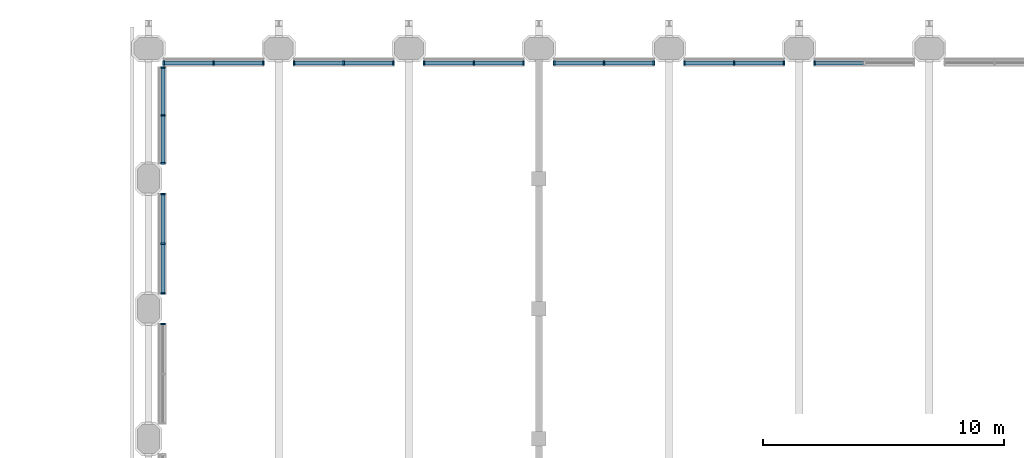
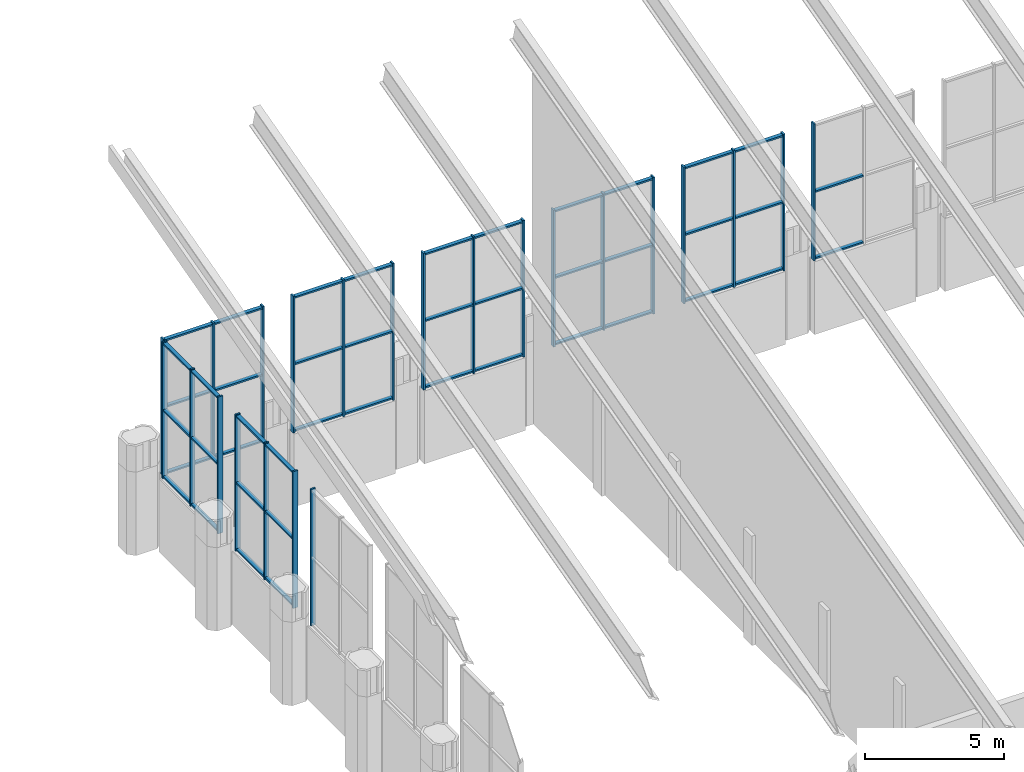
# One storey, part 21 of 42: 67 members, 9 elements without a shape of their own.
"""IFC4 building model written with IfcOpenShell, lengths in metres."""

from ifc_helpers import new_model, si_unit, direction, frame, origin, origin_2d, place, context, subcontext, project, spatial, rectangle, extrude, material, material_profile, profile_set, type_object, element, aggregate, save


model = new_model("IFC4")

# Units and contexts
model_context = context("Model", 3, precision=1e-05, world=origin(), true_north=direction((0.0, 1.0)))
body_context = subcontext(model_context, "Body", "Model", "MODEL_VIEW")
ifc_project = project(units=[si_unit("LENGTHUNIT", "METRE"), si_unit("AREAUNIT", "SQUARE_METRE"), si_unit("VOLUMEUNIT", "CUBIC_METRE"), si_unit("PLANEANGLEUNIT", "RADIAN"), si_unit("MASSUNIT", "GRAM", prefix="KILO")], contexts=[model_context])

# Site, building, storey
site_placement = place(None, origin())
site = spatial("IfcSite", under=ifc_project, at=site_placement, CompositionType="ELEMENT")
building_placement = place(site_placement, origin())
building = spatial("IfcBuilding", under=site, at=building_placement, Name="Tabaq Tower and Sports Hall", CompositionType="ELEMENT")
storey_placement = place(building_placement, frame((0.0, 0.0, 19.800048828125)))
storey = spatial("IfcBuildingStorey", under=building, at=storey_placement, Name="L03", CompositionType="ELEMENT", Elevation=19.800048828125)

# Curtain wall, members
ifc_material_1 = material(Name="Aluminium alloy 6063-T6 framed glazing", Category="aluminium")
curtain_wall_type = type_object("IfcCurtainWallType", Name="CW6 curtain wall", PredefinedType="USERDEFINED", material=ifc_material_1)
curtain_wall_1_placement = place(storey_placement, origin())
curtain_wall_1 = element("IfcCurtainWall", 1, at=curtain_wall_1_placement, inside=storey, type_object=curtain_wall_type, Name="L03 N hall glazing run", ObjectType="HALL FACADE WALL", PredefinedType="USERDEFINED")
ifc_material_2 = material(Name="Aluminium alloy 6063-T6", Category="aluminium")
ifc_material_profile_1 = material_profile(ifc_material_2, rectangle(XDim=0.199951171875, YDim=0.070068359375, at=origin_2d()), Name="MULLION 200x70")
ifc_profile_set_1 = profile_set([ifc_material_profile_1], Name="Aluminium alloy 6063-T6")
member_type_1 = type_object("IfcMemberType", Name="CW6 mullion 200x70", PredefinedType="MULLION", material=ifc_profile_set_1)
member_1_placement = place(storey_placement, frame((65.43505859375, 42.60009765625, 3.199951171875), z_axis=(0.0, 0.0, 1.0), x_axis=(0.0, 1.0, 0.0)))
member_1 = element("IfcMember", 2, at=member_1_placement, type_object=member_type_1, Name="CW6 mullion 1", PredefinedType="MULLION", context=body_context, shape_type="SweptSolid", body=[
    extrude(rectangle(XDim=0.199951171875, YDim=0.070068359375, at=origin_2d()), origin(), (0.0, 0.0, 1.0), 6.0),
])
member_2_placement = place(storey_placement, frame((67.5, 42.60009765625, 3.199951171875), z_axis=(0.0, 0.0, 1.0), x_axis=(0.0, 1.0, 0.0)))
member_2 = element("IfcMember", 3, at=member_2_placement, type_object=member_type_1, Name="CW6 mullion 2", PredefinedType="MULLION", context=body_context, shape_type="SweptSolid", body=[
    extrude(rectangle(XDim=0.199951171875, YDim=0.070068359375, at=origin_2d()), origin(), (0.0, 0.0, 1.0), 6.0),
])
member_3_placement = place(storey_placement, frame((69.56494140625, 42.60009765625, 3.199951171875), z_axis=(0.0, 0.0, 1.0), x_axis=(0.0, 1.0, 0.0)))
member_3 = element("IfcMember", 4, at=member_3_placement, type_object=member_type_1, Name="CW6 mullion 3", PredefinedType="MULLION", context=body_context, shape_type="SweptSolid", body=[
    extrude(rectangle(XDim=0.199951171875, YDim=0.070068359375, at=origin_2d()), origin(), (0.0, 0.0, 1.0), 6.0),
])

curtain_wall_2_placement = place(storey_placement, origin())
curtain_wall_2 = element("IfcCurtainWall", 5, at=curtain_wall_2_placement, inside=storey, type_object=curtain_wall_type, Name="L03 N hall glazing run", ObjectType="HALL FACADE WALL", PredefinedType="USERDEFINED")
member_4_placement = place(storey_placement, frame((70.8349609375, 42.60009765625, 3.199951171875), z_axis=(0.0, 0.0, 1.0), x_axis=(0.0, 1.0, 0.0)))
member_4 = element("IfcMember", 6, at=member_4_placement, type_object=member_type_1, Name="CW6 mullion 1", PredefinedType="MULLION", context=body_context, shape_type="SweptSolid", body=[
    extrude(rectangle(XDim=0.199951171875, YDim=0.070068359375, at=origin_2d()), origin(), (0.0, 0.0, 1.0), 6.0),
])
member_5_placement = place(storey_placement, frame((72.89990234375, 42.60009765625, 3.199951171875), z_axis=(0.0, 0.0, 1.0), x_axis=(0.0, 1.0, 0.0)))
member_5 = element("IfcMember", 7, at=member_5_placement, type_object=member_type_1, Name="CW6 mullion 2", PredefinedType="MULLION", context=body_context, shape_type="SweptSolid", body=[
    extrude(rectangle(XDim=0.199951171875, YDim=0.070068359375, at=origin_2d()), origin(), (0.0, 0.0, 1.0), 6.0),
])
member_6_placement = place(storey_placement, frame((74.965087890625, 42.60009765625, 3.199951171875), z_axis=(0.0, 0.0, 1.0), x_axis=(0.0, 1.0, 0.0)))
member_6 = element("IfcMember", 8, at=member_6_placement, type_object=member_type_1, Name="CW6 mullion 3", PredefinedType="MULLION", context=body_context, shape_type="SweptSolid", body=[
    extrude(rectangle(XDim=0.199951171875, YDim=0.070068359375, at=origin_2d()), origin(), (0.0, 0.0, 1.0), 6.0),
])

curtain_wall_3_placement = place(storey_placement, origin())
curtain_wall_3 = element("IfcCurtainWall", 9, at=curtain_wall_3_placement, inside=storey, type_object=curtain_wall_type, Name="L03 N hall glazing run", ObjectType="HALL FACADE WALL", PredefinedType="USERDEFINED")
member_7_placement = place(storey_placement, frame((76.235107421875, 42.60009765625, 3.199951171875), z_axis=(0.0, 0.0, 1.0), x_axis=(0.0, 1.0, 0.0)))
member_7 = element("IfcMember", 10, at=member_7_placement, type_object=member_type_1, Name="CW6 mullion 1", PredefinedType="MULLION", context=body_context, shape_type="SweptSolid", body=[
    extrude(rectangle(XDim=0.199951171875, YDim=0.070068359375, at=origin_2d()), origin(), (0.0, 0.0, 1.0), 6.0),
])
member_8_placement = place(storey_placement, frame((78.300048828125, 42.60009765625, 3.199951171875), z_axis=(0.0, 0.0, 1.0), x_axis=(0.0, 1.0, 0.0)))
member_8 = element("IfcMember", 11, at=member_8_placement, type_object=member_type_1, Name="CW6 mullion 2", PredefinedType="MULLION", context=body_context, shape_type="SweptSolid", body=[
    extrude(rectangle(XDim=0.199951171875, YDim=0.070068359375, at=origin_2d()), origin(), (0.0, 0.0, 1.0), 6.0),
])
member_9_placement = place(storey_placement, frame((80.364990234375, 42.60009765625, 3.199951171875), z_axis=(0.0, 0.0, 1.0), x_axis=(0.0, 1.0, 0.0)))
member_9 = element("IfcMember", 12, at=member_9_placement, type_object=member_type_1, Name="CW6 mullion 3", PredefinedType="MULLION", context=body_context, shape_type="SweptSolid", body=[
    extrude(rectangle(XDim=0.199951171875, YDim=0.070068359375, at=origin_2d()), origin(), (0.0, 0.0, 1.0), 6.0),
])

curtain_wall_4_placement = place(storey_placement, origin())
curtain_wall_4 = element("IfcCurtainWall", 13, at=curtain_wall_4_placement, inside=storey, type_object=curtain_wall_type, Name="L03 N hall glazing run", ObjectType="HALL FACADE WALL", PredefinedType="USERDEFINED")
member_10_placement = place(storey_placement, frame((81.635009765625, 42.60009765625, 3.199951171875), z_axis=(0.0, 0.0, 1.0), x_axis=(0.0, 1.0, 0.0)))
member_10 = element("IfcMember", 14, at=member_10_placement, type_object=member_type_1, Name="CW6 mullion 1", PredefinedType="MULLION", context=body_context, shape_type="SweptSolid", body=[
    extrude(rectangle(XDim=0.199951171875, YDim=0.070068359375, at=origin_2d()), origin(), (0.0, 0.0, 1.0), 6.0),
])
member_11_placement = place(storey_placement, frame((83.699951171875, 42.60009765625, 3.199951171875), z_axis=(0.0, 0.0, 1.0), x_axis=(0.0, 1.0, 0.0)))
member_11 = element("IfcMember", 15, at=member_11_placement, type_object=member_type_1, Name="CW6 mullion 2", PredefinedType="MULLION", context=body_context, shape_type="SweptSolid", body=[
    extrude(rectangle(XDim=0.199951171875, YDim=0.070068359375, at=origin_2d()), origin(), (0.0, 0.0, 1.0), 6.0),
])
member_12_placement = place(storey_placement, frame((85.764892578125, 42.60009765625, 3.199951171875), z_axis=(0.0, 0.0, 1.0), x_axis=(0.0, 1.0, 0.0)))
member_12 = element("IfcMember", 16, at=member_12_placement, type_object=member_type_1, Name="CW6 mullion 3", PredefinedType="MULLION", context=body_context, shape_type="SweptSolid", body=[
    extrude(rectangle(XDim=0.199951171875, YDim=0.070068359375, at=origin_2d()), origin(), (0.0, 0.0, 1.0), 6.0),
])

curtain_wall_5_placement = place(storey_placement, origin())
curtain_wall_5 = element("IfcCurtainWall", 17, at=curtain_wall_5_placement, inside=storey, type_object=curtain_wall_type, Name="L03 N hall glazing run", ObjectType="HALL FACADE WALL", PredefinedType="USERDEFINED")
member_13_placement = place(storey_placement, frame((87.034912109375, 42.60009765625, 3.199951171875), z_axis=(0.0, 0.0, 1.0), x_axis=(0.0, 1.0, 0.0)))
member_13 = element("IfcMember", 18, at=member_13_placement, type_object=member_type_1, Name="CW6 mullion 1", PredefinedType="MULLION", context=body_context, shape_type="SweptSolid", body=[
    extrude(rectangle(XDim=0.199951171875, YDim=0.070068359375, at=origin_2d()), origin(), (0.0, 0.0, 1.0), 6.0),
])
member_14_placement = place(storey_placement, frame((89.10009765625, 42.60009765625, 3.199951171875), z_axis=(0.0, 0.0, 1.0), x_axis=(0.0, 1.0, 0.0)))
member_14 = element("IfcMember", 19, at=member_14_placement, type_object=member_type_1, Name="CW6 mullion 2", PredefinedType="MULLION", context=body_context, shape_type="SweptSolid", body=[
    extrude(rectangle(XDim=0.199951171875, YDim=0.070068359375, at=origin_2d()), origin(), (0.0, 0.0, 1.0), 6.0),
])
member_15_placement = place(storey_placement, frame((91.1650390625, 42.60009765625, 3.199951171875), z_axis=(0.0, 0.0, 1.0), x_axis=(0.0, 1.0, 0.0)))
member_15 = element("IfcMember", 20, at=member_15_placement, type_object=member_type_1, Name="CW6 mullion 3", PredefinedType="MULLION", context=body_context, shape_type="SweptSolid", body=[
    extrude(rectangle(XDim=0.199951171875, YDim=0.070068359375, at=origin_2d()), origin(), (0.0, 0.0, 1.0), 6.0),
])

# Curtain wall, member
curtain_wall_6_placement = place(storey_placement, origin())
curtain_wall_6 = element("IfcCurtainWall", 21, at=curtain_wall_6_placement, inside=storey, type_object=curtain_wall_type, Name="L03 N hall glazing run", ObjectType="HALL FACADE WALL", PredefinedType="USERDEFINED")
member_16_placement = place(storey_placement, frame((92.43505859375, 42.60009765625, 3.199951171875), z_axis=(0.0, 0.0, 1.0), x_axis=(0.0, 1.0, 0.0)))
member_16 = element("IfcMember", 22, at=member_16_placement, type_object=member_type_1, Name="CW6 mullion 1", PredefinedType="MULLION", context=body_context, shape_type="SweptSolid", body=[
    extrude(rectangle(XDim=0.199951171875, YDim=0.070068359375, at=origin_2d()), origin(), (0.0, 0.0, 1.0), 6.0),
])

curtain_wall_7_placement = place(storey_placement, origin())
curtain_wall_7 = element("IfcCurtainWall", 23, at=curtain_wall_7_placement, inside=storey, type_object=curtain_wall_type, Name="L03 W hall glazing run", ObjectType="HALL FACADE WALL", PredefinedType="USERDEFINED")
member_17_placement = place(storey_placement, frame((65.39990234375, 31.764892578125, 3.199951171875), z_axis=(0.0, 0.0, 1.0), x_axis=(-1.0, 0.0, 0.0)))
member_17 = element("IfcMember", 24, at=member_17_placement, type_object=member_type_1, Name="CW6 mullion 3", PredefinedType="MULLION", context=body_context, shape_type="SweptSolid", body=[
    extrude(rectangle(XDim=0.199951171875, YDim=0.070068359375, at=origin_2d()), origin(), (0.0, 0.0, 1.0), 6.0),
])
aggregate(curtain_wall_7, [member_17])

# Curtain wall, members
curtain_wall_8_placement = place(storey_placement, origin())
curtain_wall_8 = element("IfcCurtainWall", 25, at=curtain_wall_8_placement, inside=storey, type_object=curtain_wall_type, Name="L03 W hall glazing run", ObjectType="HALL FACADE WALL", PredefinedType="USERDEFINED")
member_18_placement = place(storey_placement, frame((65.39990234375, 33.034912109375, 3.199951171875), z_axis=(0.0, 0.0, 1.0), x_axis=(-1.0, 0.0, 0.0)))
member_18 = element("IfcMember", 26, at=member_18_placement, type_object=member_type_1, Name="CW6 mullion 1", PredefinedType="MULLION", context=body_context, shape_type="SweptSolid", body=[
    extrude(rectangle(XDim=0.199951171875, YDim=0.070068359375, at=origin_2d()), origin(), (0.0, 0.0, 1.0), 6.0),
])
member_19_placement = place(storey_placement, frame((65.39990234375, 35.10009765625, 3.199951171875), z_axis=(0.0, 0.0, 1.0), x_axis=(-1.0, 0.0, 0.0)))
member_19 = element("IfcMember", 27, at=member_19_placement, type_object=member_type_1, Name="CW6 mullion 2", PredefinedType="MULLION", context=body_context, shape_type="SweptSolid", body=[
    extrude(rectangle(XDim=0.199951171875, YDim=0.070068359375, at=origin_2d()), origin(), (0.0, 0.0, 1.0), 6.0),
])
member_20_placement = place(storey_placement, frame((65.39990234375, 37.1650390625, 3.199951171875), z_axis=(0.0, 0.0, 1.0), x_axis=(-1.0, 0.0, 0.0)))
member_20 = element("IfcMember", 28, at=member_20_placement, type_object=member_type_1, Name="CW6 mullion 3", PredefinedType="MULLION", context=body_context, shape_type="SweptSolid", body=[
    extrude(rectangle(XDim=0.199951171875, YDim=0.070068359375, at=origin_2d()), origin(), (0.0, 0.0, 1.0), 6.0),
])

curtain_wall_9_placement = place(storey_placement, origin())
curtain_wall_9 = element("IfcCurtainWall", 29, at=curtain_wall_9_placement, inside=storey, type_object=curtain_wall_type, Name="L03 W hall glazing run", ObjectType="HALL FACADE WALL", PredefinedType="USERDEFINED")
member_21_placement = place(storey_placement, frame((65.39990234375, 38.43505859375, 3.199951171875), z_axis=(0.0, 0.0, 1.0), x_axis=(-1.0, 0.0, 0.0)))
member_21 = element("IfcMember", 30, at=member_21_placement, type_object=member_type_1, Name="CW6 mullion 1", PredefinedType="MULLION", context=body_context, shape_type="SweptSolid", body=[
    extrude(rectangle(XDim=0.199951171875, YDim=0.070068359375, at=origin_2d()), origin(), (0.0, 0.0, 1.0), 6.0),
])
member_22_placement = place(storey_placement, frame((65.39990234375, 40.425048828125, 3.199951171875), z_axis=(0.0, 0.0, 1.0), x_axis=(-1.0, 0.0, 0.0)))
member_22 = element("IfcMember", 31, at=member_22_placement, type_object=member_type_1, Name="CW6 mullion 2", PredefinedType="MULLION", context=body_context, shape_type="SweptSolid", body=[
    extrude(rectangle(XDim=0.199951171875, YDim=0.070068359375, at=origin_2d()), origin(), (0.0, 0.0, 1.0), 6.0),
])
member_23_placement = place(storey_placement, frame((65.39990234375, 42.4150390625, 3.199951171875), z_axis=(0.0, 0.0, 1.0), x_axis=(-1.0, 0.0, 0.0)))
member_23 = element("IfcMember", 32, at=member_23_placement, type_object=member_type_1, Name="CW6 mullion 3", PredefinedType="MULLION", context=body_context, shape_type="SweptSolid", body=[
    extrude(rectangle(XDim=0.199951171875, YDim=0.070068359375, at=origin_2d()), origin(), (0.0, 0.0, 1.0), 6.0),
])

# Member
ifc_material_3 = material(Name="Aluminium alloy 6063-T6", Category="aluminium")
ifc_material_profile_2 = material_profile(ifc_material_3, rectangle(XDim=0.159912109375, YDim=0.070068359375, at=origin_2d()), Name="TRANSOM 160x70")
ifc_profile_set_2 = profile_set([ifc_material_profile_2], Name="Aluminium alloy 6063-T6")
member_type_2 = type_object("IfcMemberType", Name="CW6 transom 160x70", PredefinedType="USERDEFINED", material=ifc_profile_set_2)
member_24_placement = place(storey_placement, frame((65.469970703125, 42.60009765625, 3.280029296875), z_axis=(1.0, 0.0, 0.0), x_axis=(0.0, 1.0, 0.0)))
member_24 = element("IfcMember", 33, at=member_24_placement, type_object=member_type_2, Name="CW6 transom 1.1", ObjectType="TRANSOM", PredefinedType="USERDEFINED", context=body_context, shape_type="SweptSolid", body=[
    extrude(rectangle(XDim=0.159912109375, YDim=0.070068359375, at=origin_2d()), origin(), (0.0, 0.0, 1.0), 1.9951171875),
])

member_25_placement = place(storey_placement, frame((65.469970703125, 42.60009765625, 6.199951171875), z_axis=(1.0, 0.0, 0.0), x_axis=(0.0, 1.0, 0.0)))
member_25 = element("IfcMember", 34, at=member_25_placement, type_object=member_type_2, Name="CW6 transom 1.2", ObjectType="TRANSOM", PredefinedType="USERDEFINED", context=body_context, shape_type="SweptSolid", body=[
    extrude(rectangle(XDim=0.159912109375, YDim=0.070068359375, at=origin_2d()), origin(), (0.0, 0.0, 1.0), 1.9951171875),
])

member_26_placement = place(storey_placement, frame((65.469970703125, 42.60009765625, 9.119873046875), z_axis=(1.0, 0.0, 0.0), x_axis=(0.0, 1.0, 0.0)))
member_26 = element("IfcMember", 35, at=member_26_placement, type_object=member_type_2, Name="CW6 transom 1.3", ObjectType="TRANSOM", PredefinedType="USERDEFINED", context=body_context, shape_type="SweptSolid", body=[
    extrude(rectangle(XDim=0.159912109375, YDim=0.070068359375, at=origin_2d()), origin(), (0.0, 0.0, 1.0), 1.9951171875),
])

member_27_placement = place(storey_placement, frame((67.534912109375, 42.60009765625, 3.280029296875), z_axis=(1.0, 0.0, 0.0), x_axis=(0.0, 1.0, 0.0)))
member_27 = element("IfcMember", 36, at=member_27_placement, type_object=member_type_2, Name="CW6 transom 2.1", ObjectType="TRANSOM", PredefinedType="USERDEFINED", context=body_context, shape_type="SweptSolid", body=[
    extrude(rectangle(XDim=0.159912109375, YDim=0.070068359375, at=origin_2d()), origin(), (0.0, 0.0, 1.0), 1.9951171875),
])

member_28_placement = place(storey_placement, frame((67.534912109375, 42.60009765625, 6.199951171875), z_axis=(1.0, 0.0, 0.0), x_axis=(0.0, 1.0, 0.0)))
member_28 = element("IfcMember", 37, at=member_28_placement, type_object=member_type_2, Name="CW6 transom 2.2", ObjectType="TRANSOM", PredefinedType="USERDEFINED", context=body_context, shape_type="SweptSolid", body=[
    extrude(rectangle(XDim=0.159912109375, YDim=0.070068359375, at=origin_2d()), origin(), (0.0, 0.0, 1.0), 1.9951171875),
])

member_29_placement = place(storey_placement, frame((67.534912109375, 42.60009765625, 9.119873046875), z_axis=(1.0, 0.0, 0.0), x_axis=(0.0, 1.0, 0.0)))
member_29 = element("IfcMember", 38, at=member_29_placement, type_object=member_type_2, Name="CW6 transom 2.3", ObjectType="TRANSOM", PredefinedType="USERDEFINED", context=body_context, shape_type="SweptSolid", body=[
    extrude(rectangle(XDim=0.159912109375, YDim=0.070068359375, at=origin_2d()), origin(), (0.0, 0.0, 1.0), 1.9951171875),
])

aggregate(curtain_wall_1, [member_1, member_2, member_3, member_24, member_25, member_26, member_27, member_28, member_29])

member_30_placement = place(storey_placement, frame((70.8701171875, 42.60009765625, 3.280029296875), z_axis=(1.0, 0.0, 0.0), x_axis=(0.0, 1.0, 0.0)))
member_30 = element("IfcMember", 39, at=member_30_placement, type_object=member_type_2, Name="CW6 transom 1.1", ObjectType="TRANSOM", PredefinedType="USERDEFINED", context=body_context, shape_type="SweptSolid", body=[
    extrude(rectangle(XDim=0.159912109375, YDim=0.070068359375, at=origin_2d()), origin(), (0.0, 0.0, 1.0), 1.994873046875),
])

member_31_placement = place(storey_placement, frame((70.8701171875, 42.60009765625, 6.199951171875), z_axis=(1.0, 0.0, 0.0), x_axis=(0.0, 1.0, 0.0)))
member_31 = element("IfcMember", 40, at=member_31_placement, type_object=member_type_2, Name="CW6 transom 1.2", ObjectType="TRANSOM", PredefinedType="USERDEFINED", context=body_context, shape_type="SweptSolid", body=[
    extrude(rectangle(XDim=0.159912109375, YDim=0.070068359375, at=origin_2d()), origin(), (0.0, 0.0, 1.0), 1.994873046875),
])

member_32_placement = place(storey_placement, frame((70.8701171875, 42.60009765625, 9.119873046875), z_axis=(1.0, 0.0, 0.0), x_axis=(0.0, 1.0, 0.0)))
member_32 = element("IfcMember", 41, at=member_32_placement, type_object=member_type_2, Name="CW6 transom 1.3", ObjectType="TRANSOM", PredefinedType="USERDEFINED", context=body_context, shape_type="SweptSolid", body=[
    extrude(rectangle(XDim=0.159912109375, YDim=0.070068359375, at=origin_2d()), origin(), (0.0, 0.0, 1.0), 1.994873046875),
])

member_33_placement = place(storey_placement, frame((72.93505859375, 42.60009765625, 3.280029296875), z_axis=(1.0, 0.0, 0.0), x_axis=(0.0, 1.0, 0.0)))
member_33 = element("IfcMember", 42, at=member_33_placement, type_object=member_type_2, Name="CW6 transom 2.1", ObjectType="TRANSOM", PredefinedType="USERDEFINED", context=body_context, shape_type="SweptSolid", body=[
    extrude(rectangle(XDim=0.159912109375, YDim=0.070068359375, at=origin_2d()), origin(), (0.0, 0.0, 1.0), 1.994873046875),
])

member_34_placement = place(storey_placement, frame((72.93505859375, 42.60009765625, 6.199951171875), z_axis=(1.0, 0.0, 0.0), x_axis=(0.0, 1.0, 0.0)))
member_34 = element("IfcMember", 43, at=member_34_placement, type_object=member_type_2, Name="CW6 transom 2.2", ObjectType="TRANSOM", PredefinedType="USERDEFINED", context=body_context, shape_type="SweptSolid", body=[
    extrude(rectangle(XDim=0.159912109375, YDim=0.070068359375, at=origin_2d()), origin(), (0.0, 0.0, 1.0), 1.994873046875),
])

member_35_placement = place(storey_placement, frame((72.93505859375, 42.60009765625, 9.119873046875), z_axis=(1.0, 0.0, 0.0), x_axis=(0.0, 1.0, 0.0)))
member_35 = element("IfcMember", 44, at=member_35_placement, type_object=member_type_2, Name="CW6 transom 2.3", ObjectType="TRANSOM", PredefinedType="USERDEFINED", context=body_context, shape_type="SweptSolid", body=[
    extrude(rectangle(XDim=0.159912109375, YDim=0.070068359375, at=origin_2d()), origin(), (0.0, 0.0, 1.0), 1.994873046875),
])

aggregate(curtain_wall_2, [member_4, member_5, member_6, member_30, member_31, member_32, member_33, member_34, member_35])

member_36_placement = place(storey_placement, frame((76.27001953125, 42.60009765625, 3.280029296875), z_axis=(1.0, 0.0, 0.0), x_axis=(0.0, 1.0, 0.0)))
member_36 = element("IfcMember", 45, at=member_36_placement, type_object=member_type_2, Name="CW6 transom 1.1", ObjectType="TRANSOM", PredefinedType="USERDEFINED", context=body_context, shape_type="SweptSolid", body=[
    extrude(rectangle(XDim=0.159912109375, YDim=0.070068359375, at=origin_2d()), origin(), (0.0, 0.0, 1.0), 1.994873046875),
])

member_37_placement = place(storey_placement, frame((76.27001953125, 42.60009765625, 6.199951171875), z_axis=(1.0, 0.0, 0.0), x_axis=(0.0, 1.0, 0.0)))
member_37 = element("IfcMember", 46, at=member_37_placement, type_object=member_type_2, Name="CW6 transom 1.2", ObjectType="TRANSOM", PredefinedType="USERDEFINED", context=body_context, shape_type="SweptSolid", body=[
    extrude(rectangle(XDim=0.159912109375, YDim=0.070068359375, at=origin_2d()), origin(), (0.0, 0.0, 1.0), 1.994873046875),
])

member_38_placement = place(storey_placement, frame((76.27001953125, 42.60009765625, 9.119873046875), z_axis=(1.0, 0.0, 0.0), x_axis=(0.0, 1.0, 0.0)))
member_38 = element("IfcMember", 47, at=member_38_placement, type_object=member_type_2, Name="CW6 transom 1.3", ObjectType="TRANSOM", PredefinedType="USERDEFINED", context=body_context, shape_type="SweptSolid", body=[
    extrude(rectangle(XDim=0.159912109375, YDim=0.070068359375, at=origin_2d()), origin(), (0.0, 0.0, 1.0), 1.994873046875),
])

member_39_placement = place(storey_placement, frame((78.3349609375, 42.60009765625, 3.280029296875), z_axis=(1.0, 0.0, 0.0), x_axis=(0.0, 1.0, 0.0)))
member_39 = element("IfcMember", 48, at=member_39_placement, type_object=member_type_2, Name="CW6 transom 2.1", ObjectType="TRANSOM", PredefinedType="USERDEFINED", context=body_context, shape_type="SweptSolid", body=[
    extrude(rectangle(XDim=0.159912109375, YDim=0.070068359375, at=origin_2d()), origin(), (0.0, 0.0, 1.0), 1.9951171875),
])

member_40_placement = place(storey_placement, frame((78.3349609375, 42.60009765625, 6.199951171875), z_axis=(1.0, 0.0, 0.0), x_axis=(0.0, 1.0, 0.0)))
member_40 = element("IfcMember", 49, at=member_40_placement, type_object=member_type_2, Name="CW6 transom 2.2", ObjectType="TRANSOM", PredefinedType="USERDEFINED", context=body_context, shape_type="SweptSolid", body=[
    extrude(rectangle(XDim=0.159912109375, YDim=0.070068359375, at=origin_2d()), origin(), (0.0, 0.0, 1.0), 1.9951171875),
])

member_41_placement = place(storey_placement, frame((78.3349609375, 42.60009765625, 9.119873046875), z_axis=(1.0, 0.0, 0.0), x_axis=(0.0, 1.0, 0.0)))
member_41 = element("IfcMember", 50, at=member_41_placement, type_object=member_type_2, Name="CW6 transom 2.3", ObjectType="TRANSOM", PredefinedType="USERDEFINED", context=body_context, shape_type="SweptSolid", body=[
    extrude(rectangle(XDim=0.159912109375, YDim=0.070068359375, at=origin_2d()), origin(), (0.0, 0.0, 1.0), 1.9951171875),
])

aggregate(curtain_wall_3, [member_7, member_8, member_9, member_36, member_37, member_38, member_39, member_40, member_41])

member_42_placement = place(storey_placement, frame((81.669921875, 42.60009765625, 3.280029296875), z_axis=(1.0, 0.0, 0.0), x_axis=(0.0, 1.0, 0.0)))
member_42 = element("IfcMember", 51, at=member_42_placement, type_object=member_type_2, Name="CW6 transom 1.1", ObjectType="TRANSOM", PredefinedType="USERDEFINED", context=body_context, shape_type="SweptSolid", body=[
    extrude(rectangle(XDim=0.159912109375, YDim=0.070068359375, at=origin_2d()), origin(), (0.0, 0.0, 1.0), 1.9951171875),
])

member_43_placement = place(storey_placement, frame((81.669921875, 42.60009765625, 6.199951171875), z_axis=(1.0, 0.0, 0.0), x_axis=(0.0, 1.0, 0.0)))
member_43 = element("IfcMember", 52, at=member_43_placement, type_object=member_type_2, Name="CW6 transom 1.2", ObjectType="TRANSOM", PredefinedType="USERDEFINED", context=body_context, shape_type="SweptSolid", body=[
    extrude(rectangle(XDim=0.159912109375, YDim=0.070068359375, at=origin_2d()), origin(), (0.0, 0.0, 1.0), 1.9951171875),
])

member_44_placement = place(storey_placement, frame((81.669921875, 42.60009765625, 9.119873046875), z_axis=(1.0, 0.0, 0.0), x_axis=(0.0, 1.0, 0.0)))
member_44 = element("IfcMember", 53, at=member_44_placement, type_object=member_type_2, Name="CW6 transom 1.3", ObjectType="TRANSOM", PredefinedType="USERDEFINED", context=body_context, shape_type="SweptSolid", body=[
    extrude(rectangle(XDim=0.159912109375, YDim=0.070068359375, at=origin_2d()), origin(), (0.0, 0.0, 1.0), 1.9951171875),
])

member_45_placement = place(storey_placement, frame((83.735107421875, 42.60009765625, 3.280029296875), z_axis=(1.0, 0.0, 0.0), x_axis=(0.0, 1.0, 0.0)))
member_45 = element("IfcMember", 54, at=member_45_placement, type_object=member_type_2, Name="CW6 transom 2.1", ObjectType="TRANSOM", PredefinedType="USERDEFINED", context=body_context, shape_type="SweptSolid", body=[
    extrude(rectangle(XDim=0.159912109375, YDim=0.070068359375, at=origin_2d()), origin(), (0.0, 0.0, 1.0), 1.994873046875),
])

member_46_placement = place(storey_placement, frame((83.735107421875, 42.60009765625, 6.199951171875), z_axis=(1.0, 0.0, 0.0), x_axis=(0.0, 1.0, 0.0)))
member_46 = element("IfcMember", 55, at=member_46_placement, type_object=member_type_2, Name="CW6 transom 2.2", ObjectType="TRANSOM", PredefinedType="USERDEFINED", context=body_context, shape_type="SweptSolid", body=[
    extrude(rectangle(XDim=0.159912109375, YDim=0.070068359375, at=origin_2d()), origin(), (0.0, 0.0, 1.0), 1.994873046875),
])

member_47_placement = place(storey_placement, frame((83.735107421875, 42.60009765625, 9.119873046875), z_axis=(1.0, 0.0, 0.0), x_axis=(0.0, 1.0, 0.0)))
member_47 = element("IfcMember", 56, at=member_47_placement, type_object=member_type_2, Name="CW6 transom 2.3", ObjectType="TRANSOM", PredefinedType="USERDEFINED", context=body_context, shape_type="SweptSolid", body=[
    extrude(rectangle(XDim=0.159912109375, YDim=0.070068359375, at=origin_2d()), origin(), (0.0, 0.0, 1.0), 1.994873046875),
])

aggregate(curtain_wall_4, [member_10, member_11, member_12, member_42, member_43, member_44, member_45, member_46, member_47])

member_48_placement = place(storey_placement, frame((87.070068359375, 42.60009765625, 3.280029296875), z_axis=(1.0, 0.0, 0.0), x_axis=(0.0, 1.0, 0.0)))
member_48 = element("IfcMember", 57, at=member_48_placement, type_object=member_type_2, Name="CW6 transom 1.1", ObjectType="TRANSOM", PredefinedType="USERDEFINED", context=body_context, shape_type="SweptSolid", body=[
    extrude(rectangle(XDim=0.159912109375, YDim=0.070068359375, at=origin_2d()), origin(), (0.0, 0.0, 1.0), 1.994873046875),
])

member_49_placement = place(storey_placement, frame((87.070068359375, 42.60009765625, 6.199951171875), z_axis=(1.0, 0.0, 0.0), x_axis=(0.0, 1.0, 0.0)))
member_49 = element("IfcMember", 58, at=member_49_placement, type_object=member_type_2, Name="CW6 transom 1.2", ObjectType="TRANSOM", PredefinedType="USERDEFINED", context=body_context, shape_type="SweptSolid", body=[
    extrude(rectangle(XDim=0.159912109375, YDim=0.070068359375, at=origin_2d()), origin(), (0.0, 0.0, 1.0), 1.994873046875),
])

member_50_placement = place(storey_placement, frame((87.070068359375, 42.60009765625, 9.119873046875), z_axis=(1.0, 0.0, 0.0), x_axis=(0.0, 1.0, 0.0)))
member_50 = element("IfcMember", 59, at=member_50_placement, type_object=member_type_2, Name="CW6 transom 1.3", ObjectType="TRANSOM", PredefinedType="USERDEFINED", context=body_context, shape_type="SweptSolid", body=[
    extrude(rectangle(XDim=0.159912109375, YDim=0.070068359375, at=origin_2d()), origin(), (0.0, 0.0, 1.0), 1.994873046875),
])

member_51_placement = place(storey_placement, frame((89.135009765625, 42.60009765625, 3.280029296875), z_axis=(1.0, 0.0, 0.0), x_axis=(0.0, 1.0, 0.0)))
member_51 = element("IfcMember", 60, at=member_51_placement, type_object=member_type_2, Name="CW6 transom 2.1", ObjectType="TRANSOM", PredefinedType="USERDEFINED", context=body_context, shape_type="SweptSolid", body=[
    extrude(rectangle(XDim=0.159912109375, YDim=0.070068359375, at=origin_2d()), origin(), (0.0, 0.0, 1.0), 1.994873046875),
])

member_52_placement = place(storey_placement, frame((89.135009765625, 42.60009765625, 6.199951171875), z_axis=(1.0, 0.0, 0.0), x_axis=(0.0, 1.0, 0.0)))
member_52 = element("IfcMember", 61, at=member_52_placement, type_object=member_type_2, Name="CW6 transom 2.2", ObjectType="TRANSOM", PredefinedType="USERDEFINED", context=body_context, shape_type="SweptSolid", body=[
    extrude(rectangle(XDim=0.159912109375, YDim=0.070068359375, at=origin_2d()), origin(), (0.0, 0.0, 1.0), 1.994873046875),
])

member_53_placement = place(storey_placement, frame((89.135009765625, 42.60009765625, 9.119873046875), z_axis=(1.0, 0.0, 0.0), x_axis=(0.0, 1.0, 0.0)))
member_53 = element("IfcMember", 62, at=member_53_placement, type_object=member_type_2, Name="CW6 transom 2.3", ObjectType="TRANSOM", PredefinedType="USERDEFINED", context=body_context, shape_type="SweptSolid", body=[
    extrude(rectangle(XDim=0.159912109375, YDim=0.070068359375, at=origin_2d()), origin(), (0.0, 0.0, 1.0), 1.994873046875),
])

aggregate(curtain_wall_5, [member_13, member_14, member_15, member_48, member_49, member_50, member_51, member_52, member_53])

member_54_placement = place(storey_placement, frame((92.469970703125, 42.60009765625, 3.280029296875), z_axis=(1.0, 0.0, 0.0), x_axis=(0.0, 1.0, 0.0)))
member_54 = element("IfcMember", 63, at=member_54_placement, type_object=member_type_2, Name="CW6 transom 1.1", ObjectType="TRANSOM", PredefinedType="USERDEFINED", context=body_context, shape_type="SweptSolid", body=[
    extrude(rectangle(XDim=0.159912109375, YDim=0.070068359375, at=origin_2d()), origin(), (0.0, 0.0, 1.0), 1.9951171875),
])

member_55_placement = place(storey_placement, frame((92.469970703125, 42.60009765625, 6.199951171875), z_axis=(1.0, 0.0, 0.0), x_axis=(0.0, 1.0, 0.0)))
member_55 = element("IfcMember", 64, at=member_55_placement, type_object=member_type_2, Name="CW6 transom 1.2", ObjectType="TRANSOM", PredefinedType="USERDEFINED", context=body_context, shape_type="SweptSolid", body=[
    extrude(rectangle(XDim=0.159912109375, YDim=0.070068359375, at=origin_2d()), origin(), (0.0, 0.0, 1.0), 1.9951171875),
])

aggregate(curtain_wall_6, [member_16, member_54, member_55])

member_56_placement = place(storey_placement, frame((65.39990234375, 33.070068359375, 3.280029296875), z_axis=(0.0, 1.0, 0.0), x_axis=(-1.0, 0.0, 0.0)))
member_56 = element("IfcMember", 65, at=member_56_placement, type_object=member_type_2, Name="CW6 transom 1.1", ObjectType="TRANSOM", PredefinedType="USERDEFINED", context=body_context, shape_type="SweptSolid", body=[
    extrude(rectangle(XDim=0.159912109375, YDim=0.070068359375, at=origin_2d()), origin(), (0.0, 0.0, 1.0), 1.994873046875),
])

member_57_placement = place(storey_placement, frame((65.39990234375, 33.070068359375, 6.199951171875), z_axis=(0.0, 1.0, 0.0), x_axis=(-1.0, 0.0, 0.0)))
member_57 = element("IfcMember", 66, at=member_57_placement, type_object=member_type_2, Name="CW6 transom 1.2", ObjectType="TRANSOM", PredefinedType="USERDEFINED", context=body_context, shape_type="SweptSolid", body=[
    extrude(rectangle(XDim=0.159912109375, YDim=0.070068359375, at=origin_2d()), origin(), (0.0, 0.0, 1.0), 1.994873046875),
])

member_58_placement = place(storey_placement, frame((65.39990234375, 33.070068359375, 9.119873046875), z_axis=(0.0, 1.0, 0.0), x_axis=(-1.0, 0.0, 0.0)))
member_58 = element("IfcMember", 67, at=member_58_placement, type_object=member_type_2, Name="CW6 transom 1.3", ObjectType="TRANSOM", PredefinedType="USERDEFINED", context=body_context, shape_type="SweptSolid", body=[
    extrude(rectangle(XDim=0.159912109375, YDim=0.070068359375, at=origin_2d()), origin(), (0.0, 0.0, 1.0), 1.994873046875),
])

member_59_placement = place(storey_placement, frame((65.39990234375, 35.135009765625, 3.280029296875), z_axis=(0.0, 1.0, 0.0), x_axis=(-1.0, 0.0, 0.0)))
member_59 = element("IfcMember", 68, at=member_59_placement, type_object=member_type_2, Name="CW6 transom 2.1", ObjectType="TRANSOM", PredefinedType="USERDEFINED", context=body_context, shape_type="SweptSolid", body=[
    extrude(rectangle(XDim=0.159912109375, YDim=0.070068359375, at=origin_2d()), origin(), (0.0, 0.0, 1.0), 1.994873046875),
])

member_60_placement = place(storey_placement, frame((65.39990234375, 35.135009765625, 6.199951171875), z_axis=(0.0, 1.0, 0.0), x_axis=(-1.0, 0.0, 0.0)))
member_60 = element("IfcMember", 69, at=member_60_placement, type_object=member_type_2, Name="CW6 transom 2.2", ObjectType="TRANSOM", PredefinedType="USERDEFINED", context=body_context, shape_type="SweptSolid", body=[
    extrude(rectangle(XDim=0.159912109375, YDim=0.070068359375, at=origin_2d()), origin(), (0.0, 0.0, 1.0), 1.994873046875),
])

member_61_placement = place(storey_placement, frame((65.39990234375, 35.135009765625, 9.119873046875), z_axis=(0.0, 1.0, 0.0), x_axis=(-1.0, 0.0, 0.0)))
member_61 = element("IfcMember", 70, at=member_61_placement, type_object=member_type_2, Name="CW6 transom 2.3", ObjectType="TRANSOM", PredefinedType="USERDEFINED", context=body_context, shape_type="SweptSolid", body=[
    extrude(rectangle(XDim=0.159912109375, YDim=0.070068359375, at=origin_2d()), origin(), (0.0, 0.0, 1.0), 1.994873046875),
])

aggregate(curtain_wall_8, [member_18, member_19, member_20, member_56, member_57, member_58, member_59, member_60, member_61])

member_62_placement = place(storey_placement, frame((65.39990234375, 38.469970703125, 3.280029296875), z_axis=(0.0, 1.0, 0.0), x_axis=(-1.0, 0.0, 0.0)))
member_62 = element("IfcMember", 71, at=member_62_placement, type_object=member_type_2, Name="CW6 transom 1.1", ObjectType="TRANSOM", PredefinedType="USERDEFINED", context=body_context, shape_type="SweptSolid", body=[
    extrude(rectangle(XDim=0.159912109375, YDim=0.070068359375, at=origin_2d()), origin(), (0.0, 0.0, 1.0), 1.919921875),
])

member_63_placement = place(storey_placement, frame((65.39990234375, 38.469970703125, 6.199951171875), z_axis=(0.0, 1.0, 0.0), x_axis=(-1.0, 0.0, 0.0)))
member_63 = element("IfcMember", 72, at=member_63_placement, type_object=member_type_2, Name="CW6 transom 1.2", ObjectType="TRANSOM", PredefinedType="USERDEFINED", context=body_context, shape_type="SweptSolid", body=[
    extrude(rectangle(XDim=0.159912109375, YDim=0.070068359375, at=origin_2d()), origin(), (0.0, 0.0, 1.0), 1.919921875),
])

member_64_placement = place(storey_placement, frame((65.39990234375, 38.469970703125, 9.119873046875), z_axis=(0.0, 1.0, 0.0), x_axis=(-1.0, 0.0, 0.0)))
member_64 = element("IfcMember", 73, at=member_64_placement, type_object=member_type_2, Name="CW6 transom 1.3", ObjectType="TRANSOM", PredefinedType="USERDEFINED", context=body_context, shape_type="SweptSolid", body=[
    extrude(rectangle(XDim=0.159912109375, YDim=0.070068359375, at=origin_2d()), origin(), (0.0, 0.0, 1.0), 1.919921875),
])

member_65_placement = place(storey_placement, frame((65.39990234375, 40.4599609375, 3.280029296875), z_axis=(0.0, 1.0, 0.0), x_axis=(-1.0, 0.0, 0.0)))
member_65 = element("IfcMember", 74, at=member_65_placement, type_object=member_type_2, Name="CW6 transom 2.1", ObjectType="TRANSOM", PredefinedType="USERDEFINED", context=body_context, shape_type="SweptSolid", body=[
    extrude(rectangle(XDim=0.159912109375, YDim=0.070068359375, at=origin_2d()), origin(), (0.0, 0.0, 1.0), 1.919921875),
])

member_66_placement = place(storey_placement, frame((65.39990234375, 40.4599609375, 6.199951171875), z_axis=(0.0, 1.0, 0.0), x_axis=(-1.0, 0.0, 0.0)))
member_66 = element("IfcMember", 75, at=member_66_placement, type_object=member_type_2, Name="CW6 transom 2.2", ObjectType="TRANSOM", PredefinedType="USERDEFINED", context=body_context, shape_type="SweptSolid", body=[
    extrude(rectangle(XDim=0.159912109375, YDim=0.070068359375, at=origin_2d()), origin(), (0.0, 0.0, 1.0), 1.919921875),
])

member_67_placement = place(storey_placement, frame((65.39990234375, 40.4599609375, 9.119873046875), z_axis=(0.0, 1.0, 0.0), x_axis=(-1.0, 0.0, 0.0)))
member_67 = element("IfcMember", 76, at=member_67_placement, type_object=member_type_2, Name="CW6 transom 2.3", ObjectType="TRANSOM", PredefinedType="USERDEFINED", context=body_context, shape_type="SweptSolid", body=[
    extrude(rectangle(XDim=0.159912109375, YDim=0.070068359375, at=origin_2d()), origin(), (0.0, 0.0, 1.0), 1.919921875),
])

aggregate(curtain_wall_9, [member_21, member_22, member_23, member_62, member_63, member_64, member_65, member_66, member_67])

save(model, "model.ifc")
